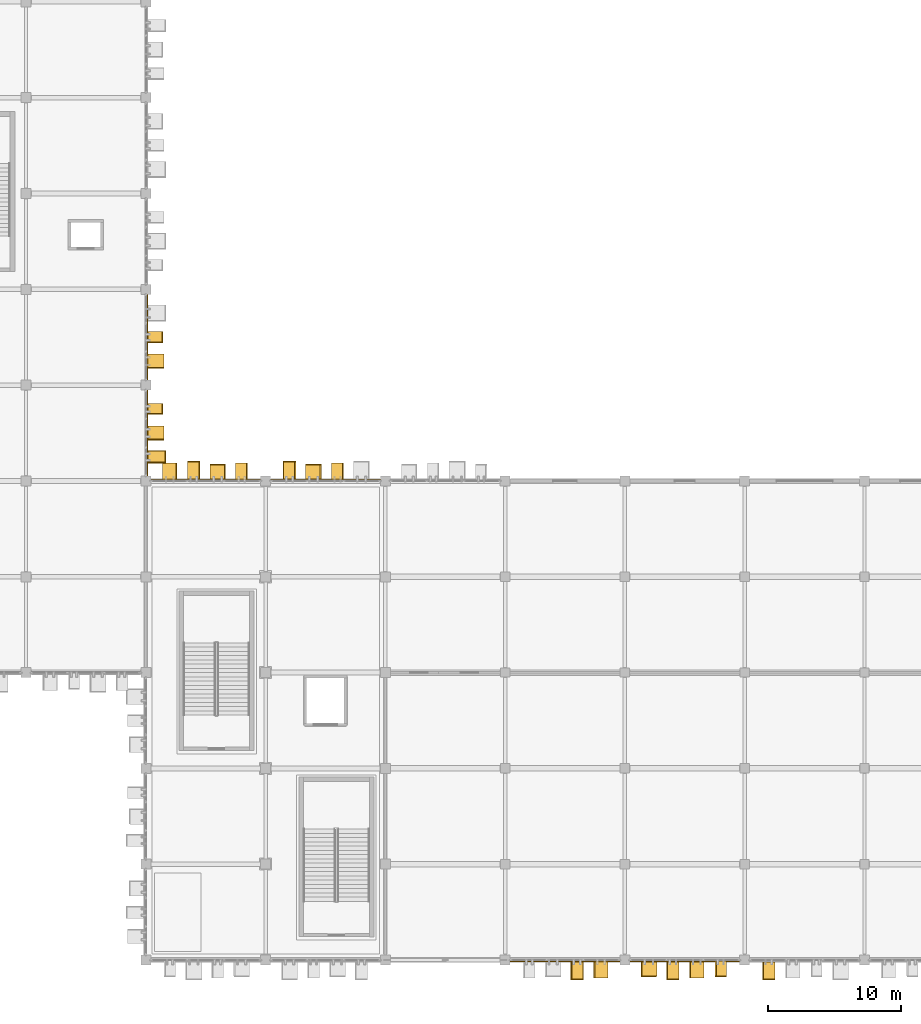
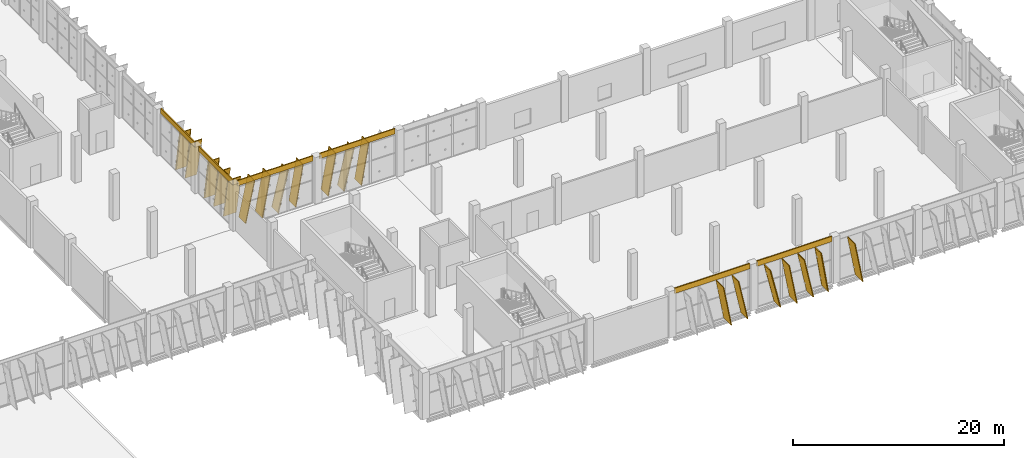
# One storey, part 168 of 189: 25 coverings, 19 shading devices.
"""IFC4 building model written with IfcOpenShell, lengths in metres."""

from ifc_helpers import new_model, si_unit, direction, frame, origin, origin_2d, place, context, subcontext, project, spatial, rectangle, extrude, material, layer, layer_set, material_profile, profile_set, type_object, element, save


model = new_model("IFC4")

# Units and contexts
model_context = context("Model", 3, precision=1e-05, world=origin(), true_north=direction((0.0, 1.0)))
body_context = subcontext(model_context, "Body", "Model", "MODEL_VIEW")
ifc_project = project(units=[si_unit("LENGTHUNIT", "METRE"), si_unit("AREAUNIT", "SQUARE_METRE"), si_unit("VOLUMEUNIT", "CUBIC_METRE"), si_unit("PLANEANGLEUNIT", "RADIAN"), si_unit("MASSUNIT", "GRAM", prefix="KILO")], contexts=[model_context])

# Site, building, storey
site_placement = place(None, origin())
site = spatial("IfcSite", under=ifc_project, at=site_placement, CompositionType="ELEMENT")
building_placement = place(site_placement, origin())
building = spatial("IfcBuilding", under=site, at=building_placement, Name="Celestram Park Convention Centre", CompositionType="ELEMENT")
storey_placement = place(building_placement, frame((0.0, 0.0, 5.39990234375)))
storey = spatial("IfcBuildingStorey", under=building, at=storey_placement, Name="L01", CompositionType="ELEMENT", Elevation=5.39990234375)

# Coverings
ifc_material_1 = material(Name="Anodised Bronze Aluminium Spandrel Cladding", Category="aluminium")
ifc_layer = layer(ifc_material_1, 0.050048828125)
ifc_layer_set = layer_set([ifc_layer], Name="Anodised Bronze Aluminium Spandrel Cladding")
covering_type_1 = type_object("IfcCoveringType", Name="ARC-COV-CLD060", PredefinedType="CLADDING", material=ifc_layer_set)
covering_1_placement = place(storey_placement, frame((144.080078125, 46.800048828125, 4.840087890625), z_axis=(0.0, 0.0, 1.0), x_axis=(0.0, -1.0, 0.0)))
element("IfcCovering", 1, at=covering_1_placement, inside=storey, type_object=covering_type_1, Name="Bronze spandrel cladding CL-L01-096", PredefinedType="CLADDING", context=body_context, shape_type="SweptSolid", body=[
    extrude(rectangle(XDim=6.4541015625, YDim=0.1201171875, at=origin_2d()), origin(), (0.0, 0.0, 1.0), 0.56005859375),
])
covering_2_placement = place(storey_placement, frame((144.080078125, 39.60009765625, 4.7841796875), z_axis=(0.0, 0.0, 1.0), x_axis=(0.0, -1.0, 0.0)))
element("IfcCovering", 2, at=covering_2_placement, inside=storey, type_object=covering_type_1, Name="Bronze spandrel cladding CL-L01-097", PredefinedType="CLADDING", context=body_context, shape_type="SweptSolid", body=[
    extrude(rectangle(XDim=6.4541015625, YDim=0.1201171875, at=origin_2d()), origin(), (0.0, 0.0, 1.0), 0.615966796875),
])
for number, where, z_axis, x_axis, name in (
    (3, (148.5, 36.080078125, 4.7841796875), (0.0, 0.0, 1.0), (1.0, 0.0, 0.0), "Bronze spandrel cladding CL-L01-098"),
    (4, (157.5, 36.080078125, 4.7841796875), (0.0, 0.0, 1.0), (1.0, 0.0, 0.0), "Bronze spandrel cladding CL-L01-099"),
    (5, (184.5, -0.080078125, 4.7841796875), (0.0, 0.0, 1.0), (-1.0, 0.0, 0.0), "Bronze spandrel cladding CL-L01-109"),
    (6, (175.5, -0.080078125, 4.7841796875), (0.0, 0.0, 1.0), (-1.0, 0.0, 0.0), "Bronze spandrel cladding CL-L01-110"),
):
    element("IfcCovering", number, at=place(storey_placement, frame(where, z_axis=z_axis, x_axis=x_axis)), inside=storey, type_object=covering_type_1, Name=name, PredefinedType="CLADDING", context=body_context, shape_type="SweptSolid", body=[
        extrude(rectangle(XDim=8.25390625, YDim=0.1201171875, at=origin_2d()), origin(), (0.0, 0.0, 1.0), 0.615966796875),
    ])
ifc_material_2 = material(Name="Timber-Toned Anodised Aluminium Alloy 6063-T6", Category="wood")
ifc_material_profile_1 = material_profile(ifc_material_2, rectangle(XDim=1.1201171875, YDim=0.090087890625, at=origin_2d()), Name="REED1120X90")
ifc_profile_set_1 = profile_set([ifc_material_profile_1], Name="Timber-Toned Anodised Aluminium Alloy 6063-T6")
covering_type_2 = type_object("IfcCoveringType", Name="ARC-COV-FIN1120", PredefinedType="CLADDING", material=ifc_profile_set_1)
covering_3_placement = place(storey_placement, frame((144.639892578125, 47.1845703125, 0.035888671875), z_axis=(0.0, -0.159878683359, 0.987136670683), x_axis=(1.0, 0.0, 0.0)))
element("IfcCovering", 7, at=covering_3_placement, inside=storey, type_object=covering_type_2, Name="Leaning timber-toned reed fin RFN-L01-0288", PredefinedType="CLADDING", context=body_context, shape_type="SweptSolid", body=[
    extrude(rectangle(XDim=1.1201171875, YDim=0.090087890625, at=origin_2d()), origin(), (0.0, 0.0, 1.0), 4.81005859375),
])
for number, where, z_axis, x_axis, name in (
    (8, (144.639892578125, 41.780029296875, 0.03564453125), (0.0, -0.159866942828, 0.987138572132), (1.0, 0.0, 0.0), "Leaning timber-toned reed fin RFN-L01-0290"),
    (9, (148.84912109375, 36.639892578125, 0.06982421875), (0.231766325176, 0.0, 0.972771489361), (0.0, 1.0, 0.0), "Leaning timber-toned reed fin RFN-L01-0295"),
    (10, (156.049072265625, 36.639892578125, 0.06982421875), (0.231766325176, 0.0, 0.972771489361), (0.0, 1.0, 0.0), "Leaning timber-toned reed fin RFN-L01-0298"),
    (11, (187.580078125, -0.639892578125, 0.03564453125), (-0.159866942828, 0.0, 0.987138572132), (0.0, -1.0, 0.0), "Leaning timber-toned reed fin RFN-L01-0332"),
    (12, (182.350830078125, -0.639892578125, 0.06982421875), (-0.231766325176, 0.0, 0.972771489361), (0.0, -1.0, 0.0), "Leaning timber-toned reed fin RFN-L01-0335"),
):
    element("IfcCovering", number, at=place(storey_placement, frame(where, z_axis=z_axis, x_axis=x_axis)), inside=storey, type_object=covering_type_2, Name=name, PredefinedType="CLADDING", context=body_context, shape_type="SweptSolid", body=[
        extrude(rectangle(XDim=1.1201171875, YDim=0.090087890625, at=origin_2d()), origin(), (0.0, 0.0, 1.0), 4.75390625),
    ])
ifc_material_profile_2 = material_profile(ifc_material_2, rectangle(XDim=1.280029296875, YDim=0.090087890625, at=origin_2d()), Name="REED1280X90")
ifc_profile_set_2 = profile_set([ifc_material_profile_2], Name="Timber-Toned Anodised Aluminium Alloy 6063-T6")
covering_type_3 = type_object("IfcCoveringType", Name="ARC-COV-FIN1280", PredefinedType="CLADDING", material=ifc_profile_set_2)
covering_4_placement = place(storey_placement, frame((144.719970703125, 45.504150390625, 0.05859375), z_axis=(0.0, -0.209626144864, 0.977781611296), x_axis=(1.0, 0.0, 0.0)))
element("IfcCovering", 13, at=covering_4_placement, inside=storey, type_object=covering_type_3, Name="Leaning timber-toned reed fin RFN-L01-0289", PredefinedType="CLADDING", context=body_context, shape_type="SweptSolid", body=[
    extrude(rectangle(XDim=1.280029296875, YDim=0.090087890625, at=origin_2d()), origin(), (0.0, 0.0, 1.0), 4.81005859375),
])
for number, where, z_axis, x_axis, name in (
    (14, (144.719970703125, 40.098388671875, 0.057861328125), (0.0, -0.209627286664, 0.977781366506), (1.0, 0.0, 0.0), "Leaning timber-toned reed fin RFN-L01-0291"),
    (15, (145.3017578125, 36.719970703125, 0.057861328125), (0.209627286664, 0.0, 0.977781366506), (0.0, 1.0, 0.0), "Leaning timber-toned reed fin RFN-L01-0293"),
):
    element("IfcCovering", number, at=place(storey_placement, frame(where, z_axis=z_axis, x_axis=x_axis)), inside=storey, type_object=covering_type_3, Name=name, PredefinedType="CLADDING", context=body_context, shape_type="SweptSolid", body=[
        extrude(rectangle(XDim=1.280029296875, YDim=0.090087890625, at=origin_2d()), origin(), (0.0, 0.0, 1.0), 4.754150390625),
    ])
for number, where, z_axis, x_axis, name in (
    (16, (150.79541015625, 36.719970703125, 0.039794921875), (0.170192389469, 0.0, 0.985410853688), (0.0, 1.0, 0.0), "Leaning timber-toned reed fin RFN-L01-0296"),
    (17, (157.995361328125, 36.719970703125, 0.039794921875), (0.170242256857, 0.0, 0.985402239687), (0.0, 1.0, 0.0), "Leaning timber-toned reed fin RFN-L01-0299"),
):
    element("IfcCovering", number, at=place(storey_placement, frame(where, z_axis=z_axis, x_axis=x_axis)), inside=storey, type_object=covering_type_3, Name=name, PredefinedType="CLADDING", context=body_context, shape_type="SweptSolid", body=[
        extrude(rectangle(XDim=1.280029296875, YDim=0.090087890625, at=origin_2d()), origin(), (0.0, 0.0, 1.0), 4.75390625),
    ])
for number, where, z_axis, x_axis, name in (
    (18, (185.898193359375, -0.719970703125, 0.057861328125), (-0.209627286664, 0.0, 0.977781366506), (0.0, -1.0, 0.0), "Leaning timber-toned reed fin RFN-L01-0333"),
    (19, (178.6982421875, -0.719970703125, 0.057861328125), (-0.209627286664, 0.0, 0.977781366506), (0.0, -1.0, 0.0), "Leaning timber-toned reed fin RFN-L01-0336"),
):
    element("IfcCovering", number, at=place(storey_placement, frame(where, z_axis=z_axis, x_axis=x_axis)), inside=storey, type_object=covering_type_3, Name=name, PredefinedType="CLADDING", context=body_context, shape_type="SweptSolid", body=[
        extrude(rectangle(XDim=1.280029296875, YDim=0.090087890625, at=origin_2d()), origin(), (0.0, 0.0, 1.0), 4.754150390625),
    ])
ifc_material_profile_3 = material_profile(ifc_material_2, rectangle(XDim=1.419921875, YDim=0.090087890625, at=origin_2d()), Name="REED1420X90")
ifc_profile_set_3 = profile_set([ifc_material_profile_3], Name="Timber-Toned Anodised Aluminium Alloy 6063-T6")
covering_type_4 = type_object("IfcCoveringType", Name="ARC-COV-FIN1420", PredefinedType="CLADDING", material=ifc_profile_set_3)
for number, where, z_axis, x_axis, name in (
    (20, (144.7900390625, 38.22900390625, 0.044189453125), (0.0, -0.180516672672, 0.983571924613), (1.0, 0.0, 0.0), "Leaning timber-toned reed fin RFN-L01-0292"),
    (21, (147.1708984375, 36.7900390625, 0.044189453125), (0.180516672672, 0.0, 0.983571924613), (0.0, 1.0, 0.0), "Leaning timber-toned reed fin RFN-L01-0294"),
    (22, (154.370849609375, 36.7900390625, 0.044189453125), (0.180516672672, 0.0, 0.983571924613), (0.0, 1.0, 0.0), "Leaning timber-toned reed fin RFN-L01-0297"),
    (23, (191.22900390625, -0.7900390625, 0.044189453125), (-0.180516672672, 0.0, 0.983571924613), (0.0, -1.0, 0.0), "Leaning timber-toned reed fin RFN-L01-0331"),
    (24, (184.029052734375, -0.7900390625, 0.044189453125), (-0.180516672672, 0.0, 0.983571924613), (0.0, -1.0, 0.0), "Leaning timber-toned reed fin RFN-L01-0334"),
    (25, (176.8291015625, -0.7900390625, 0.044189453125), (-0.180516672672, 0.0, 0.983571924613), (0.0, -1.0, 0.0), "Leaning timber-toned reed fin RFN-L01-0337"),
):
    element("IfcCovering", number, at=place(storey_placement, frame(where, z_axis=z_axis, x_axis=x_axis)), inside=storey, type_object=covering_type_4, Name=name, PredefinedType="CLADDING", context=body_context, shape_type="SweptSolid", body=[
        extrude(rectangle(XDim=1.419921875, YDim=0.090087890625, at=origin_2d()), origin(), (0.0, 0.0, 1.0), 4.75390625),
    ])

# Shading devices
ifc_material_3 = material(Name="Anodised Bronze Aluminium Alloy 6063-T6", Category="aluminium")
ifc_material_profile_4 = material_profile(ifc_material_3, rectangle(XDim=1.280029296875, YDim=0.080078125, at=origin_2d()), Name="FIN1280X80")
ifc_profile_set_4 = profile_set([ifc_material_profile_4], Name="Anodised Bronze Aluminium Alloy 6063-T6")
shading_device_type = type_object("IfcShadingDeviceType", Name="ARC-FIN-BZ1280", PredefinedType="USERDEFINED", material=ifc_profile_set_4)
for number, where, z_axis, x_axis, name in (
    (26, (144.639892578125, 47.1845703125, 0.035888671875), (0.0, -0.159878683359, 0.987136670683), (1.0, 0.0, 0.0), "Expressive solar fin FN-L01-0288"),
    (27, (144.719970703125, 45.504150390625, 0.05859375), (0.0, -0.209626144864, 0.977781611296), (1.0, 0.0, 0.0), "Expressive solar fin FN-L01-0289"),
):
    element("IfcShadingDevice", number, at=place(storey_placement, frame(where, z_axis=z_axis, x_axis=x_axis)), inside=storey, type_object=shading_device_type, Name=name, ObjectType="SOLAR_FIN", PredefinedType="USERDEFINED", context=body_context, shape_type="SweptSolid", body=[
        extrude(rectangle(XDim=1.280029296875, YDim=0.080078125, at=origin_2d()), origin(), (0.0, 0.0, 1.0), 4.81005859375),
    ])
shading_device_1_placement = place(storey_placement, frame((144.639892578125, 41.780029296875, 0.03564453125), z_axis=(0.0, -0.159866942828, 0.987138572132), x_axis=(1.0, 0.0, 0.0)))
element("IfcShadingDevice", 28, at=shading_device_1_placement, inside=storey, type_object=shading_device_type, Name="Expressive solar fin FN-L01-0290", ObjectType="SOLAR_FIN", PredefinedType="USERDEFINED", context=body_context, shape_type="SweptSolid", body=[
    extrude(rectangle(XDim=1.280029296875, YDim=0.080078125, at=origin_2d()), origin(), (0.0, 0.0, 1.0), 4.75390625),
])
shading_device_2_placement = place(storey_placement, frame((144.719970703125, 40.098388671875, 0.057861328125), z_axis=(0.0, -0.209627286664, 0.977781366506), x_axis=(1.0, 0.0, 0.0)))
element("IfcShadingDevice", 29, at=shading_device_2_placement, inside=storey, type_object=shading_device_type, Name="Expressive solar fin FN-L01-0291", ObjectType="SOLAR_FIN", PredefinedType="USERDEFINED", context=body_context, shape_type="SweptSolid", body=[
    extrude(rectangle(XDim=1.280029296875, YDim=0.080078125, at=origin_2d()), origin(), (0.0, 0.0, 1.0), 4.754150390625),
])
shading_device_3_placement = place(storey_placement, frame((144.7900390625, 38.22900390625, 0.044189453125), z_axis=(0.0, -0.180516672672, 0.983571924613), x_axis=(1.0, 0.0, 0.0)))
element("IfcShadingDevice", 30, at=shading_device_3_placement, inside=storey, type_object=shading_device_type, Name="Expressive solar fin FN-L01-0292", ObjectType="SOLAR_FIN", PredefinedType="USERDEFINED", context=body_context, shape_type="SweptSolid", body=[
    extrude(rectangle(XDim=1.280029296875, YDim=0.080078125, at=origin_2d()), origin(), (0.0, 0.0, 1.0), 4.75390625),
])
shading_device_4_placement = place(storey_placement, frame((145.3017578125, 36.719970703125, 0.057861328125), z_axis=(0.209627286664, 0.0, 0.977781366506), x_axis=(0.0, 1.0, 0.0)))
element("IfcShadingDevice", 31, at=shading_device_4_placement, inside=storey, type_object=shading_device_type, Name="Expressive solar fin FN-L01-0293", ObjectType="SOLAR_FIN", PredefinedType="USERDEFINED", context=body_context, shape_type="SweptSolid", body=[
    extrude(rectangle(XDim=1.280029296875, YDim=0.080078125, at=origin_2d()), origin(), (0.0, 0.0, 1.0), 4.754150390625),
])
for number, where, z_axis, x_axis, name in (
    (32, (147.1708984375, 36.7900390625, 0.044189453125), (0.180516672672, 0.0, 0.983571924613), (0.0, 1.0, 0.0), "Expressive solar fin FN-L01-0294"),
    (33, (148.84912109375, 36.639892578125, 0.06982421875), (0.231766325176, 0.0, 0.972771489361), (0.0, 1.0, 0.0), "Expressive solar fin FN-L01-0295"),
    (34, (150.79541015625, 36.719970703125, 0.039794921875), (0.170192389469, 0.0, 0.985410853688), (0.0, 1.0, 0.0), "Expressive solar fin FN-L01-0296"),
    (35, (154.370849609375, 36.7900390625, 0.044189453125), (0.180516672672, 0.0, 0.983571924613), (0.0, 1.0, 0.0), "Expressive solar fin FN-L01-0297"),
    (36, (156.049072265625, 36.639892578125, 0.06982421875), (0.231766325176, 0.0, 0.972771489361), (0.0, 1.0, 0.0), "Expressive solar fin FN-L01-0298"),
    (37, (157.995361328125, 36.719970703125, 0.039794921875), (0.170242256857, 0.0, 0.985402239687), (0.0, 1.0, 0.0), "Expressive solar fin FN-L01-0299"),
    (38, (191.22900390625, -0.7900390625, 0.044189453125), (-0.180516672672, 0.0, 0.983571924613), (0.0, -1.0, 0.0), "Expressive solar fin FN-L01-0331"),
    (39, (187.580078125, -0.639892578125, 0.03564453125), (-0.159866942828, 0.0, 0.987138572132), (0.0, -1.0, 0.0), "Expressive solar fin FN-L01-0332"),
):
    element("IfcShadingDevice", number, at=place(storey_placement, frame(where, z_axis=z_axis, x_axis=x_axis)), inside=storey, type_object=shading_device_type, Name=name, ObjectType="SOLAR_FIN", PredefinedType="USERDEFINED", context=body_context, shape_type="SweptSolid", body=[
        extrude(rectangle(XDim=1.280029296875, YDim=0.080078125, at=origin_2d()), origin(), (0.0, 0.0, 1.0), 4.75390625),
    ])
shading_device_5_placement = place(storey_placement, frame((185.898193359375, -0.719970703125, 0.057861328125), z_axis=(-0.209627286664, 0.0, 0.977781366506), x_axis=(0.0, -1.0, 0.0)))
element("IfcShadingDevice", 40, at=shading_device_5_placement, inside=storey, type_object=shading_device_type, Name="Expressive solar fin FN-L01-0333", ObjectType="SOLAR_FIN", PredefinedType="USERDEFINED", context=body_context, shape_type="SweptSolid", body=[
    extrude(rectangle(XDim=1.280029296875, YDim=0.080078125, at=origin_2d()), origin(), (0.0, 0.0, 1.0), 4.754150390625),
])
for number, where, z_axis, x_axis, name in (
    (41, (184.029052734375, -0.7900390625, 0.044189453125), (-0.180516672672, 0.0, 0.983571924613), (0.0, -1.0, 0.0), "Expressive solar fin FN-L01-0334"),
    (42, (182.350830078125, -0.639892578125, 0.06982421875), (-0.231766325176, 0.0, 0.972771489361), (0.0, -1.0, 0.0), "Expressive solar fin FN-L01-0335"),
):
    element("IfcShadingDevice", number, at=place(storey_placement, frame(where, z_axis=z_axis, x_axis=x_axis)), inside=storey, type_object=shading_device_type, Name=name, ObjectType="SOLAR_FIN", PredefinedType="USERDEFINED", context=body_context, shape_type="SweptSolid", body=[
        extrude(rectangle(XDim=1.280029296875, YDim=0.080078125, at=origin_2d()), origin(), (0.0, 0.0, 1.0), 4.75390625),
    ])
shading_device_6_placement = place(storey_placement, frame((178.6982421875, -0.719970703125, 0.057861328125), z_axis=(-0.209627286664, 0.0, 0.977781366506), x_axis=(0.0, -1.0, 0.0)))
element("IfcShadingDevice", 43, at=shading_device_6_placement, inside=storey, type_object=shading_device_type, Name="Expressive solar fin FN-L01-0336", ObjectType="SOLAR_FIN", PredefinedType="USERDEFINED", context=body_context, shape_type="SweptSolid", body=[
    extrude(rectangle(XDim=1.280029296875, YDim=0.080078125, at=origin_2d()), origin(), (0.0, 0.0, 1.0), 4.754150390625),
])
shading_device_7_placement = place(storey_placement, frame((176.8291015625, -0.7900390625, 0.044189453125), z_axis=(-0.180516672672, 0.0, 0.983571924613), x_axis=(0.0, -1.0, 0.0)))
element("IfcShadingDevice", 44, at=shading_device_7_placement, inside=storey, type_object=shading_device_type, Name="Expressive solar fin FN-L01-0337", ObjectType="SOLAR_FIN", PredefinedType="USERDEFINED", context=body_context, shape_type="SweptSolid", body=[
    extrude(rectangle(XDim=1.280029296875, YDim=0.080078125, at=origin_2d()), origin(), (0.0, 0.0, 1.0), 4.75390625),
])

save(model, "model.ifc")
